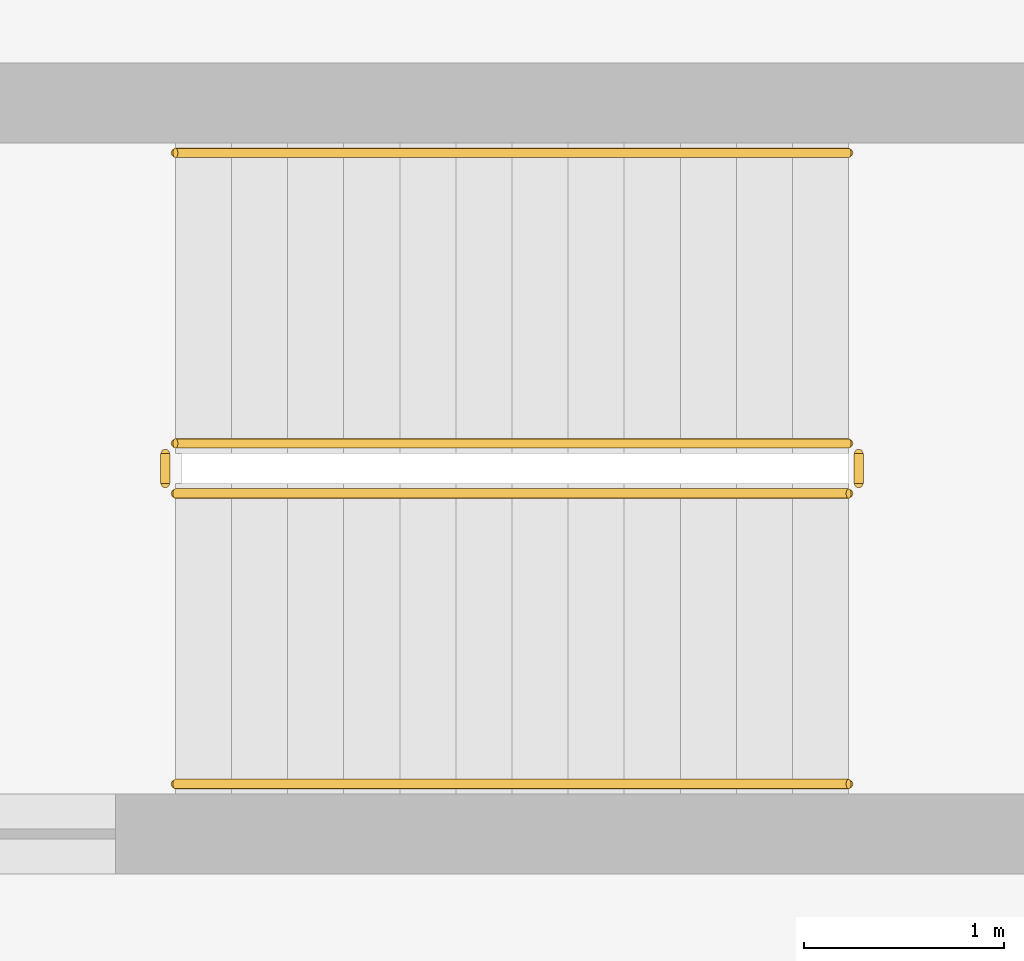
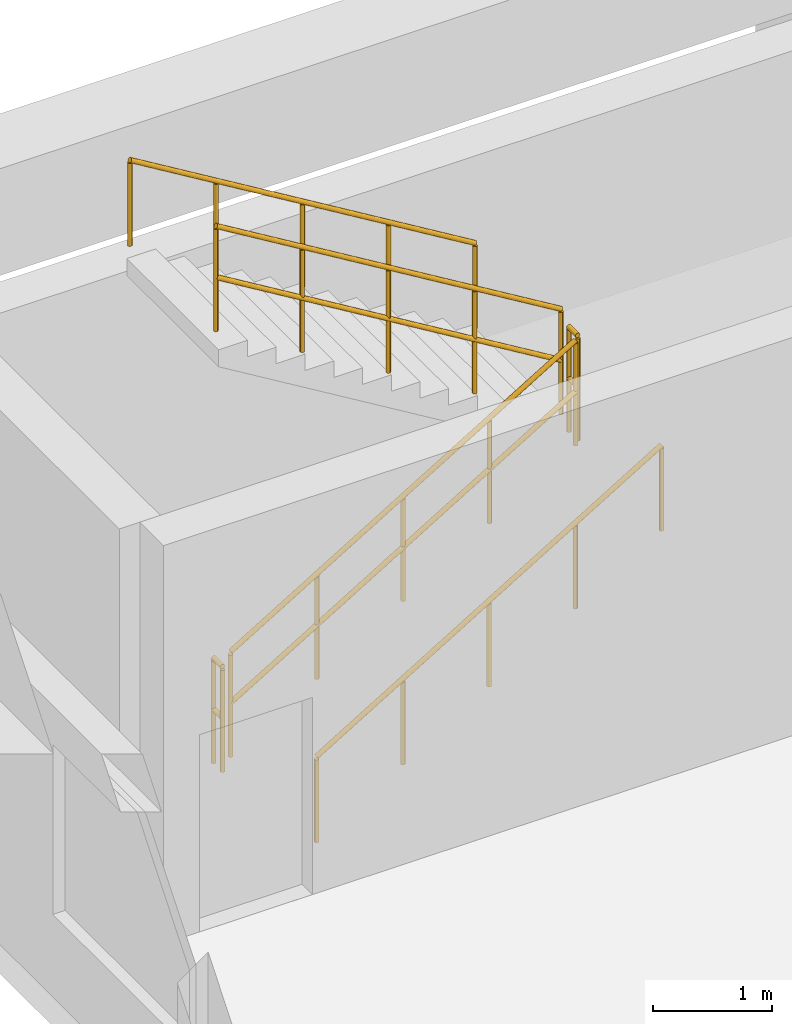
# One storey, part 21 of 22: 6 railings.
"""IFC4 building model written with IfcOpenShell, lengths in metres."""

from ifc_helpers import new_model, si_unit, direction, frame, origin, origin_2d, place, context, subcontext, project, spatial, circle, extrude, material, type_object, element, save


model = new_model("IFC4")

# Units and contexts
model_context = context("Model", 3, precision=1e-05, world=origin(), true_north=direction((0.0, 1.0)))
body_context = subcontext(model_context, "Body", "Model", "MODEL_VIEW")
ifc_project = project(units=[si_unit("LENGTHUNIT", "METRE"), si_unit("AREAUNIT", "SQUARE_METRE"), si_unit("VOLUMEUNIT", "CUBIC_METRE"), si_unit("PLANEANGLEUNIT", "RADIAN"), si_unit("MASSUNIT", "GRAM", prefix="KILO")], contexts=[model_context])

# Site, building, storey
site_placement = place(None, origin())
site = spatial("IfcSite", under=ifc_project, at=site_placement, CompositionType="ELEMENT")
building_placement = place(site_placement, origin())
building = spatial("IfcBuilding", under=site, at=building_placement, Name="Veraguas Prism Commons", CompositionType="ELEMENT")
storey_placement = place(building_placement, frame((0.0, 0.0, 5.199951171875)))
storey = spatial("IfcBuildingStorey", under=building, at=storey_placement, Name="L01", CompositionType="ELEMENT", Elevation=5.199951171875)

# Railings
ifc_material = material(Name="Stainless steel AISI 316", Category="steel")
railing_type_1 = type_object("IfcRailingType", Name="Stair and Ramp Stainless Handrail 900", PredefinedType="HANDRAIL", material=ifc_material)
railing_1_placement = place(storey_placement, frame((4.949951171875, 41.31005859375, 0.169189453125)))
element("IfcRailing", 1, at=railing_1_placement, inside=storey, type_object=railing_type_1, Name="Stair Handrail ST-M2 L01-1", PredefinedType="HANDRAIL", context=body_context, shape_type="SweptSolid", body=[
    extrude(circle(Radius=0.02392578125, at=origin_2d()), frame((0.0, 0.0, 0.8759765625), z_axis=(0.855836976705, 0.0, 0.517245656632), x_axis=(0.0, 1.0, 0.0)), (0.0, 0.0, 1.0), 3.926025390625),
    extrude(circle(Radius=0.02099609375, at=origin_2d()), origin(), (0.0, 0.0, 1.0), 0.851806640625),
    extrude(circle(Radius=0.02099609375, at=origin_2d()), frame((0.840087890625, 0.0, 0.5078125)), (0.0, 0.0, 1.0), 0.851806640625),
    extrude(circle(Radius=0.02099609375, at=origin_2d()), frame((1.68017578125, 0.0, 1.015380859375)), (0.0, 0.0, 1.0), 0.851806640625),
    extrude(circle(Radius=0.02099609375, at=origin_2d()), frame((2.52001953125, 0.0, 1.52294921875)), (0.0, 0.0, 1.0), 0.851806640625),
    extrude(circle(Radius=0.02099609375, at=origin_2d()), frame((3.360107421875, 0.0, 2.03076171875)), (0.0, 0.0, 1.0), 0.851806640625),
])
railing_2_placement = place(storey_placement, frame((8.31005859375, 44.4599609375, 2.369384765625)))
element("IfcRailing", 2, at=railing_2_placement, inside=storey, type_object=railing_type_1, Name="Stair Handrail ST-M2 L01-2", PredefinedType="HANDRAIL", context=body_context, shape_type="SweptSolid", body=[
    extrude(circle(Radius=0.02392578125, at=origin_2d()), frame((0.0, 0.0, 0.8759765625), z_axis=(-0.855836976705, 0.0, 0.517245656632), x_axis=(0.0, -1.0, 0.0)), (0.0, 0.0, 1.0), 3.926025390625),
    extrude(circle(Radius=0.02099609375, at=origin_2d()), origin(), (0.0, 0.0, 1.0), 0.851806640625),
    extrude(circle(Radius=0.02099609375, at=origin_2d()), frame((-0.840087890625, 0.0, 0.5078125)), (0.0, 0.0, 1.0), 0.851806640625),
    extrude(circle(Radius=0.02099609375, at=origin_2d()), frame((-1.68017578125, 0.0, 1.015380859375)), (0.0, 0.0, 1.0), 0.851806640625),
    extrude(circle(Radius=0.02099609375, at=origin_2d()), frame((-2.52001953125, 0.0, 1.52294921875)), (0.0, 0.0, 1.0), 0.851806640625),
    extrude(circle(Radius=0.02099609375, at=origin_2d()), frame((-3.360107421875, 0.0, 2.03076171875)), (0.0, 0.0, 1.0), 0.851806640625),
])
railing_type_2 = type_object("IfcRailingType", Name="Stairwell Safety Guardrail 1100", PredefinedType="GUARDRAIL", material=ifc_material)
railing_3_placement = place(storey_placement, frame((4.949951171875, 42.760009765625, 0.169189453125)))
element("IfcRailing", 3, at=railing_3_placement, inside=storey, type_object=railing_type_2, Name="Stair Guard ST-M2 L01-1", PredefinedType="GUARDRAIL", context=body_context, shape_type="SweptSolid", body=[
    extrude(circle(Radius=0.02392578125, at=origin_2d()), frame((0.0, 0.0, 1.076171875), z_axis=(0.855836976705, 0.0, 0.517245656632), x_axis=(0.0, 1.0, 0.0)), (0.0, 0.0, 1.0), 3.926025390625),
    extrude(circle(Radius=0.02392578125, at=origin_2d()), frame((0.0, 0.0, 0.550048828125), z_axis=(0.855836976705, 0.0, 0.517245656632), x_axis=(0.0, 1.0, 0.0)), (0.0, 0.0, 1.0), 3.926025390625),
    extrude(circle(Radius=0.02099609375, at=origin_2d()), origin(), (0.0, 0.0, 1.0), 1.052001953125),
    extrude(circle(Radius=0.02099609375, at=origin_2d()), frame((0.840087890625, 0.0, 0.5078125)), (0.0, 0.0, 1.0), 1.052001953125),
    extrude(circle(Radius=0.02099609375, at=origin_2d()), frame((1.68017578125, 0.0, 1.015380859375)), (0.0, 0.0, 1.0), 1.052001953125),
    extrude(circle(Radius=0.02099609375, at=origin_2d()), frame((2.52001953125, 0.0, 1.52294921875)), (0.0, 0.0, 1.0), 1.052001953125),
    extrude(circle(Radius=0.02099609375, at=origin_2d()), frame((3.360107421875, 0.0, 2.03076171875)), (0.0, 0.0, 1.0), 1.052001953125),
])
railing_4_placement = place(storey_placement, frame((8.360107421875, 42.81005859375, 2.199951171875)))
element("IfcRailing", 4, at=railing_4_placement, inside=storey, type_object=railing_type_2, Name="Stair Guard ST-M2 L01-2", PredefinedType="GUARDRAIL", context=body_context, shape_type="SweptSolid", body=[
    extrude(circle(Radius=0.02392578125, at=origin_2d()), frame((0.0, 0.0, 1.076171875), z_axis=(0.0, 1.0, 0.0), x_axis=(-1.0, 0.0, 0.0)), (0.0, 0.0, 1.0), 0.14990234375),
    extrude(circle(Radius=0.02392578125, at=origin_2d()), frame((0.0, 0.0, 0.550048828125), z_axis=(0.0, 1.0, 0.0), x_axis=(-1.0, 0.0, 0.0)), (0.0, 0.0, 1.0), 0.14990234375),
    extrude(circle(Radius=0.02099609375, at=origin_2d()), origin(), (0.0, 0.0, 1.0), 1.052001953125),
    extrude(circle(Radius=0.02099609375, at=origin_2d()), frame((0.0, 0.14990234375, 0.0)), (0.0, 0.0, 1.0), 1.052001953125),
])
railing_5_placement = place(storey_placement, frame((8.31005859375, 43.010009765625, 2.369384765625)))
element("IfcRailing", 5, at=railing_5_placement, inside=storey, type_object=railing_type_2, Name="Stair Guard ST-M2 L01-3", PredefinedType="GUARDRAIL", context=body_context, shape_type="SweptSolid", body=[
    extrude(circle(Radius=0.02392578125, at=origin_2d()), frame((0.0, 0.0, 1.076171875), z_axis=(-0.855836976705, 0.0, 0.517245656632), x_axis=(0.0, -1.0, 0.0)), (0.0, 0.0, 1.0), 3.926025390625),
    extrude(circle(Radius=0.02392578125, at=origin_2d()), frame((0.0, 0.0, 0.550048828125), z_axis=(-0.855836976705, 0.0, 0.517245656632), x_axis=(0.0, -1.0, 0.0)), (0.0, 0.0, 1.0), 3.926025390625),
    extrude(circle(Radius=0.02099609375, at=origin_2d()), origin(), (0.0, 0.0, 1.0), 1.052001953125),
    extrude(circle(Radius=0.02099609375, at=origin_2d()), frame((-0.840087890625, 0.0, 0.5078125)), (0.0, 0.0, 1.0), 1.052001953125),
    extrude(circle(Radius=0.02099609375, at=origin_2d()), frame((-1.68017578125, 0.0, 1.015380859375)), (0.0, 0.0, 1.0), 1.052001953125),
    extrude(circle(Radius=0.02099609375, at=origin_2d()), frame((-2.52001953125, 0.0, 1.52294921875)), (0.0, 0.0, 1.0), 1.052001953125),
    extrude(circle(Radius=0.02099609375, at=origin_2d()), frame((-3.360107421875, 0.0, 2.03076171875)), (0.0, 0.0, 1.0), 1.052001953125),
])
railing_6_placement = place(storey_placement, frame((4.89990234375, 42.81005859375, 0.0)))
element("IfcRailing", 6, at=railing_6_placement, inside=storey, type_object=railing_type_2, Name="Stair Guard ST-M2 L01-4", PredefinedType="GUARDRAIL", context=body_context, shape_type="SweptSolid", body=[
    extrude(circle(Radius=0.02392578125, at=origin_2d()), frame((0.0, 0.0, 1.076171875), z_axis=(0.0, 1.0, 0.0), x_axis=(-1.0, 0.0, 0.0)), (0.0, 0.0, 1.0), 0.14990234375),
    extrude(circle(Radius=0.02392578125, at=origin_2d()), frame((0.0, 0.0, 0.550048828125), z_axis=(0.0, 1.0, 0.0), x_axis=(-1.0, 0.0, 0.0)), (0.0, 0.0, 1.0), 0.14990234375),
    extrude(circle(Radius=0.02099609375, at=origin_2d()), origin(), (0.0, 0.0, 1.0), 1.052001953125),
    extrude(circle(Radius=0.02099609375, at=origin_2d()), frame((0.0, 0.14990234375, 0.0)), (0.0, 0.0, 1.0), 1.052001953125),
])

save(model, "model.ifc")
